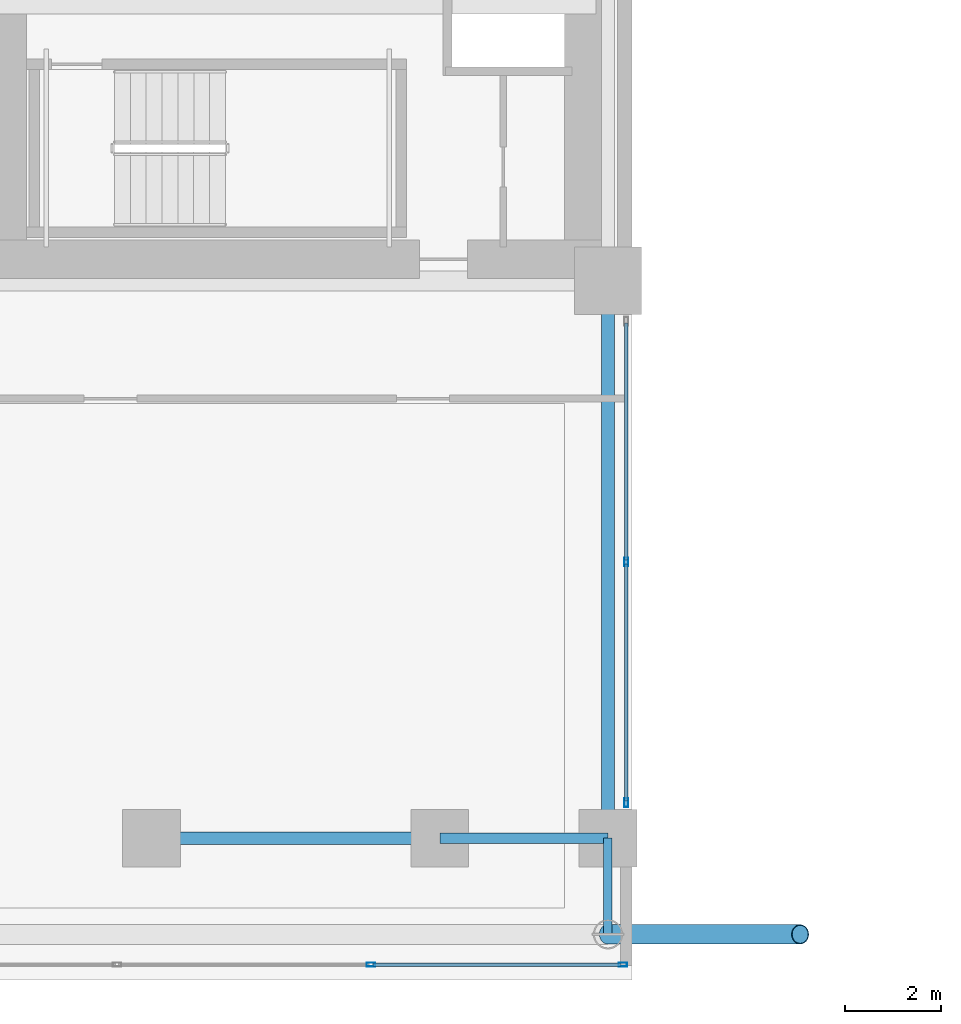
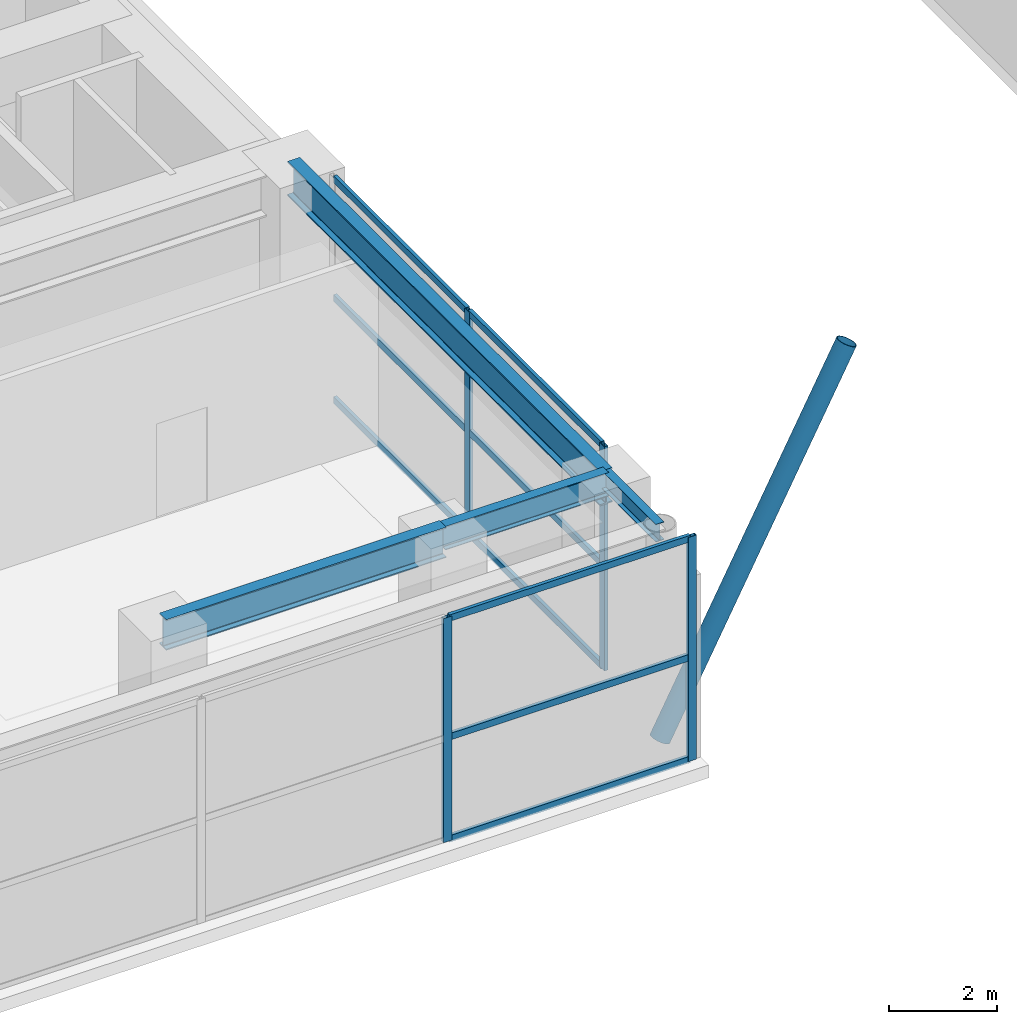
# One storey, part 5 of 29: 14 members, 4 beams, 2 elements without a shape of their own.
"""IFC4 building model written with IfcOpenShell, lengths in metres."""

from ifc_helpers import new_model, si_unit, direction, frame, origin, origin_2d, place, context, subcontext, project, spatial, hollow_rectangle, hollow_circle, i_section, extrude, source, transform, mapped, material, layer, layer_set, material_profile, profile_set, type_object, element, aggregate, save


model = new_model("IFC4")

# Units and contexts
model_context = context("Model", 3, precision=1e-05, world=origin(), true_north=direction((0.0, 1.0)))
body_context = subcontext(model_context, "Body", "Model", "MODEL_VIEW")
ifc_project = project(units=[si_unit("LENGTHUNIT", "METRE"), si_unit("AREAUNIT", "SQUARE_METRE"), si_unit("VOLUMEUNIT", "CUBIC_METRE"), si_unit("PLANEANGLEUNIT", "RADIAN"), si_unit("MASSUNIT", "GRAM", prefix="KILO")], contexts=[model_context])

# Site, building, storey
site_placement = place(None, origin())
site = spatial("IfcSite", under=ifc_project, at=site_placement, CompositionType="ELEMENT")
building_placement = place(site_placement, origin())
building = spatial("IfcBuilding", under=site, at=building_placement, Name="Ocotamira Hotel", CompositionType="ELEMENT")
storey_placement = place(building_placement, frame((0.0, 0.0, 6.0)))
storey = spatial("IfcBuildingStorey", under=building, at=storey_placement, Name="L02", CompositionType="ELEMENT", Elevation=6.0)

# Beams
ifc_material_1 = material(Name="Steel ASTM A992 Grade 50", Category="steel")
ifc_material_profile_1 = material_profile(ifc_material_1, i_section(OverallWidth=0.256103515625, OverallDepth=0.693115234375, WebThickness=0.014404296875, FlangeThickness=0.023681640625, FilletRadius=0.01611328125, at=origin_2d()), Name="W27X114")
ifc_profile_set_1 = profile_set([ifc_material_profile_1], Name="Steel ASTM A992 Grade 50")
beam_type_1 = type_object("IfcBeamType", Name="BM-PRIM-W27X114", PredefinedType="BEAM", material=ifc_profile_set_1)
shared_shape_1 = source(origin(), body_context, "Body", "SweptSolid", [
    extrude(i_section(OverallWidth=0.256103515625, OverallDepth=0.693115234375, WebThickness=0.014404296875, FlangeThickness=0.023681640625, FilletRadius=0.01611328125, at=origin_2d()), origin(), (0.0, 0.0, 1.0), 6.0),
])
beam_1_placement = place(storey_placement, frame((14.0, 2.949951171875, 4.7333984375), z_axis=(1.0, 0.0, 0.0), x_axis=(0.0, 1.0, 0.0)))
element("IfcBeam", 1, at=beam_1_placement, inside=storey, type_object=beam_type_1, Name="L02 Girder Y2.95 X14-20", PredefinedType="BEAM", context=body_context, shape_type="MappedRepresentation", body=[
    mapped(shared_shape_1, transform((0.0, 0.0, 0.0), scale=1.0)),
])
ifc_material_profile_2 = material_profile(ifc_material_1, i_section(OverallWidth=0.2099609375, OverallDepth=0.537109375, WebThickness=0.010986328125, FlangeThickness=0.017333984375, FilletRadius=0.012939453125, at=origin_2d()), Name="W21X68")
ifc_profile_set_2 = profile_set([ifc_material_profile_2], Name="Steel ASTM A992 Grade 50")
beam_type_2 = type_object("IfcBeamType", Name="BM-SEC-W21X68", PredefinedType="JOIST", material=ifc_profile_set_2)
shared_shape_2 = source(origin(), body_context, "Body", "SweptSolid", [
    extrude(i_section(OverallWidth=0.2099609375, OverallDepth=0.537109375, WebThickness=0.010986328125, FlangeThickness=0.017333984375, FilletRadius=0.012939453125, at=origin_2d()), origin(), (0.0, 0.0, 1.0), 3.5),
])
beam_2_placement = place(storey_placement, frame((20.0, 2.949951171875, 4.8115234375), z_axis=(1.0, 0.0, 0.0), x_axis=(0.0, 1.0, 0.0)))
element("IfcBeam", 2, at=beam_2_placement, inside=storey, type_object=beam_type_2, Name="L02 Girder Y2.95 X20-23.5", PredefinedType="JOIST", context=body_context, shape_type="MappedRepresentation", body=[
    mapped(shared_shape_2, transform((0.0, 0.0, 0.0), scale=1.0)),
])
ifc_material_profile_3 = material_profile(ifc_material_1, i_section(OverallWidth=0.177978515625, OverallDepth=0.403076171875, WebThickness=0.007568359375, FlangeThickness=0.010986328125, FilletRadius=0.010009765625, at=origin_2d()), Name="W16X36")
ifc_profile_set_3 = profile_set([ifc_material_profile_3], Name="Steel ASTM A992 Grade 50")
beam_type_3 = type_object("IfcBeamType", Name="BM-SEC-W16X36", PredefinedType="JOIST", material=ifc_profile_set_3)
shared_shape_3 = source(origin(), body_context, "Body", "SweptSolid", [
    extrude(i_section(OverallWidth=0.177978515625, OverallDepth=0.403076171875, WebThickness=0.007568359375, FlangeThickness=0.010986328125, FilletRadius=0.010009765625, at=origin_2d()), origin(), (0.0, 0.0, 1.0), 2.0),
])
beam_3_placement = place(storey_placement, frame((23.5, 0.949951171875, 4.87841796875), z_axis=(0.0, 1.0, 0.0), x_axis=(-1.0, 0.0, 0.0)))
element("IfcBeam", 3, at=beam_3_placement, inside=storey, type_object=beam_type_3, Name="L02 Beam X23.5 Y0.95-2.95", PredefinedType="JOIST", context=body_context, shape_type="MappedRepresentation", body=[
    mapped(shared_shape_3, transform((0.0, 0.0, 0.0), scale=1.0)),
])
ifc_material_profile_4 = material_profile(ifc_material_1, i_section(OverallWidth=0.26611328125, OverallDepth=0.779052734375, WebThickness=0.0166015625, FlangeThickness=0.030029296875, FilletRadius=0.01806640625, at=origin_2d()), Name="W30X148")
ifc_profile_set_4 = profile_set([ifc_material_profile_4], Name="Steel ASTM A992 Grade 50")
beam_type_4 = type_object("IfcBeamType", Name="BM-GIRD-W30X148", PredefinedType="BEAM", material=ifc_profile_set_4)
shared_shape_4 = source(origin(), body_context, "Body", "SweptSolid", [
    extrude(i_section(OverallWidth=0.26611328125, OverallDepth=0.779052734375, WebThickness=0.0166015625, FlangeThickness=0.030029296875, FilletRadius=0.01806640625, at=origin_2d()), origin(), (0.0, 0.0, 1.0), 11.60009765625),
])
beam_4_placement = place(storey_placement, frame((23.5, 2.949951171875, 4.6904296875), z_axis=(0.0, 1.0, 0.0), x_axis=(-1.0, 0.0, 0.0)))
element("IfcBeam", 4, at=beam_4_placement, inside=storey, type_object=beam_type_4, Name="L02 Beam X23.5 Y2.95-14.55", PredefinedType="BEAM", context=body_context, shape_type="MappedRepresentation", body=[
    mapped(shared_shape_4, transform((0.0, 0.0, 0.0), scale=1.0)),
])

# Member
ifc_material_2 = material(Name="Pale-metal coated steel ASTM A500 Grade C", Category="steel")
ifc_material_profile_5 = material_profile(ifc_material_2, hollow_circle(Radius=0.202880859375, WallThickness=0.01611328125, at=origin_2d()), Name="CHS406X16")
ifc_profile_set_5 = profile_set([ifc_material_profile_5], Name="Pale-metal coated steel ASTM A500 Grade C")
member_type_1 = type_object("IfcMemberType", Name="MEM-ARCH-CHS406", PredefinedType="CHORD", material=ifc_profile_set_5)
shared_shape_5 = source(origin(), body_context, "Body", "SweptSolid", [
    extrude(hollow_circle(Radius=0.202880859375, WallThickness=0.01611328125, at=origin_2d()), origin(), (0.0, 0.0, 1.0), 8.58837890625),
])
member_1_placement = place(storey_placement, frame((23.5, 0.949951171875, 0.199951171875), z_axis=(0.465741746442, 0.0, 0.884920688888), x_axis=(0.0, 1.0, 0.0)))
element("IfcMember", 5, at=member_1_placement, inside=storey, type_object=member_type_1, Name="Giant Portal Arch Rib S1", PredefinedType="CHORD", context=body_context, shape_type="MappedRepresentation", body=[
    mapped(shared_shape_5, transform((0.0, 0.0, 0.0), scale=1.0)),
])

# Curtain wall, members
ifc_material_3 = material(Name="Anodised pale-metal aluminium and solar glass", Category="aluminium")
ifc_layer = layer(ifc_material_3, 0.219970703125)
ifc_layer_set = layer_set([ifc_layer], Name="Anodised pale-metal aluminium and solar glass")
curtain_wall_type = type_object("IfcCurtainWallType", Name="CW-SYS1-POD", PredefinedType="NOTDEFINED", material=ifc_layer_set)
curtain_wall_1_placement = place(storey_placement, origin())
curtain_wall_1 = element("IfcCurtainWall", 6, at=curtain_wall_1_placement, inside=storey, type_object=curtain_wall_type, Name="L02 Curtain Wall CW-1 CW-L02-SW", PredefinedType="NOTDEFINED")
ifc_material_4 = material(Name="Anodised pale-metal aluminium 6063-T6", Category="aluminium")
ifc_material_profile_6 = material_profile(ifc_material_4, hollow_rectangle(XDim=0.080078125, YDim=0.179931640625, WallThickness=0.006103515625, at=origin_2d()), Name="HSS180X80X6")
ifc_profile_set_6 = profile_set([ifc_material_profile_6], Name="Anodised pale-metal aluminium 6063-T6")
member_type_2 = type_object("IfcMemberType", Name="CWM-180X75", PredefinedType="MULLION", material=ifc_profile_set_6)
shared_shape_6 = source(origin(), body_context, "Body", "SweptSolid", [
    extrude(hollow_rectangle(XDim=0.080078125, YDim=0.179931640625, WallThickness=0.006103515625, at=origin_2d()), origin(), (0.0, 0.0, 1.0), 5.080078125),
])
member_2_placement = place(storey_placement, frame((18.566650390625, 0.320068359375, 0.0), z_axis=(0.0, 0.0, 1.0), x_axis=(0.0, 1.0, 0.0)))
member_2 = element("IfcMember", 7, at=member_2_placement, type_object=member_type_2, Name="CW-1 mullion 3", PredefinedType="MULLION", context=body_context, shape_type="MappedRepresentation", body=[
    mapped(shared_shape_6, transform((0.0, 0.0, 0.0), scale=1.0)),
])
member_3_placement = place(storey_placement, frame((23.81005859375, 0.320068359375, 0.0), z_axis=(0.0, 0.0, 1.0), x_axis=(0.0, 1.0, 0.0)))
member_3 = element("IfcMember", 8, at=member_3_placement, type_object=member_type_2, Name="CW-1 mullion 4", PredefinedType="MULLION", context=body_context, shape_type="MappedRepresentation", body=[
    mapped(shared_shape_6, transform((0.0, 0.0, 0.0), scale=1.0)),
])

curtain_wall_2_placement = place(storey_placement, origin())
curtain_wall_2 = element("IfcCurtainWall", 9, at=curtain_wall_2_placement, inside=storey, type_object=curtain_wall_type, Name="L02 Curtain Wall CW-1 CW-L02-AW-S", PredefinedType="NOTDEFINED")
member_4_placement = place(storey_placement, frame((23.8798828125, 3.68994140625, 0.0), z_axis=(0.0, 0.0, 1.0), x_axis=(-1.0, 0.0, 0.0)))
member_4 = element("IfcMember", 10, at=member_4_placement, type_object=member_type_2, Name="CW-1 mullion 1", PredefinedType="MULLION", context=body_context, shape_type="MappedRepresentation", body=[
    mapped(shared_shape_6, transform((0.0, 0.0, 0.0), scale=1.0)),
])
member_5_placement = place(storey_placement, frame((23.8798828125, 8.699951171875, 0.0), z_axis=(0.0, 0.0, 1.0), x_axis=(-1.0, 0.0, 0.0)))
member_5 = element("IfcMember", 11, at=member_5_placement, type_object=member_type_2, Name="CW-1 mullion 2", PredefinedType="MULLION", context=body_context, shape_type="MappedRepresentation", body=[
    mapped(shared_shape_6, transform((0.0, 0.0, 0.0), scale=1.0)),
])

# Member
ifc_material_profile_7 = material_profile(ifc_material_4, hollow_rectangle(XDim=0.074951171875, YDim=0.14990234375, WallThickness=0.006103515625, at=origin_2d()), Name="HSS150X75X6")
ifc_profile_set_7 = profile_set([ifc_material_profile_7], Name="Anodised pale-metal aluminium 6063-T6")
member_type_3 = type_object("IfcMemberType", Name="CWT-150X75", PredefinedType="USERDEFINED", material=ifc_profile_set_7)
shared_shape_7 = source(origin(), body_context, "Body", "SweptSolid", [
    extrude(hollow_rectangle(XDim=0.074951171875, YDim=0.14990234375, WallThickness=0.006103515625, at=origin_2d()), origin(), (0.0, 0.0, 1.0), 5.163330078125),
])
member_6_placement = place(storey_placement, frame((18.606689453125, 0.320068359375, 0.03759765625), z_axis=(1.0, 0.0, 0.0), x_axis=(0.0, 1.0, 0.0)))
member_6 = element("IfcMember", 12, at=member_6_placement, type_object=member_type_3, Name="CW-1 transom 3.1", ObjectType="TRANSOM", PredefinedType="USERDEFINED", context=body_context, shape_type="MappedRepresentation", body=[
    mapped(shared_shape_7, transform((0.0, 0.0, 0.0), scale=1.0)),
])

member_7_placement = place(storey_placement, frame((18.606689453125, 0.320068359375, 2.35009765625), z_axis=(1.0, 0.0, 0.0), x_axis=(0.0, 1.0, 0.0)))
member_7 = element("IfcMember", 13, at=member_7_placement, type_object=member_type_3, Name="CW-1 transom 3.2", ObjectType="TRANSOM", PredefinedType="USERDEFINED", context=body_context, shape_type="MappedRepresentation", body=[
    mapped(shared_shape_7, transform((0.0, 0.0, 0.0), scale=1.0)),
])

member_8_placement = place(storey_placement, frame((18.606689453125, 0.320068359375, 5.04248046875), z_axis=(1.0, 0.0, 0.0), x_axis=(0.0, 1.0, 0.0)))
member_8 = element("IfcMember", 14, at=member_8_placement, type_object=member_type_3, Name="CW-1 transom 3.3", ObjectType="TRANSOM", PredefinedType="USERDEFINED", context=body_context, shape_type="MappedRepresentation", body=[
    mapped(shared_shape_7, transform((0.0, 0.0, 0.0), scale=1.0)),
])

aggregate(curtain_wall_1, [member_2, member_3, member_6, member_7, member_8])

shared_shape_8 = source(origin(), body_context, "Body", "SweptSolid", [
    extrude(hollow_rectangle(XDim=0.074951171875, YDim=0.14990234375, WallThickness=0.006103515625, at=origin_2d()), origin(), (0.0, 0.0, 1.0), 4.929931640625),
])
member_9_placement = place(storey_placement, frame((23.8798828125, 3.72998046875, 0.03759765625), z_axis=(0.0, 1.0, 0.0), x_axis=(-1.0, 0.0, 0.0)))
member_9 = element("IfcMember", 15, at=member_9_placement, type_object=member_type_3, Name="CW-1 transom 1.1", ObjectType="TRANSOM", PredefinedType="USERDEFINED", context=body_context, shape_type="MappedRepresentation", body=[
    mapped(shared_shape_8, transform((0.0, 0.0, 0.0), scale=1.0)),
])

member_10_placement = place(storey_placement, frame((23.8798828125, 3.72998046875, 2.35009765625), z_axis=(0.0, 1.0, 0.0), x_axis=(-1.0, 0.0, 0.0)))
member_10 = element("IfcMember", 16, at=member_10_placement, type_object=member_type_3, Name="CW-1 transom 1.2", ObjectType="TRANSOM", PredefinedType="USERDEFINED", context=body_context, shape_type="MappedRepresentation", body=[
    mapped(shared_shape_8, transform((0.0, 0.0, 0.0), scale=1.0)),
])

member_11_placement = place(storey_placement, frame((23.8798828125, 3.72998046875, 5.04248046875), z_axis=(0.0, 1.0, 0.0), x_axis=(-1.0, 0.0, 0.0)))
member_11 = element("IfcMember", 17, at=member_11_placement, type_object=member_type_3, Name="CW-1 transom 1.3", ObjectType="TRANSOM", PredefinedType="USERDEFINED", context=body_context, shape_type="MappedRepresentation", body=[
    mapped(shared_shape_8, transform((0.0, 0.0, 0.0), scale=1.0)),
])

member_12_placement = place(storey_placement, frame((23.8798828125, 8.739990234375, 0.03759765625), z_axis=(0.0, 1.0, 0.0), x_axis=(-1.0, 0.0, 0.0)))
member_12 = element("IfcMember", 18, at=member_12_placement, type_object=member_type_3, Name="CW-1 transom 2.1", ObjectType="TRANSOM", PredefinedType="USERDEFINED", context=body_context, shape_type="MappedRepresentation", body=[
    mapped(shared_shape_8, transform((0.0, 0.0, 0.0), scale=1.0)),
])

member_13_placement = place(storey_placement, frame((23.8798828125, 8.739990234375, 2.35009765625), z_axis=(0.0, 1.0, 0.0), x_axis=(-1.0, 0.0, 0.0)))
member_13 = element("IfcMember", 19, at=member_13_placement, type_object=member_type_3, Name="CW-1 transom 2.2", ObjectType="TRANSOM", PredefinedType="USERDEFINED", context=body_context, shape_type="MappedRepresentation", body=[
    mapped(shared_shape_8, transform((0.0, 0.0, 0.0), scale=1.0)),
])

member_14_placement = place(storey_placement, frame((23.8798828125, 8.739990234375, 5.04248046875), z_axis=(0.0, 1.0, 0.0), x_axis=(-1.0, 0.0, 0.0)))
member_14 = element("IfcMember", 20, at=member_14_placement, type_object=member_type_3, Name="CW-1 transom 2.3", ObjectType="TRANSOM", PredefinedType="USERDEFINED", context=body_context, shape_type="MappedRepresentation", body=[
    mapped(shared_shape_8, transform((0.0, 0.0, 0.0), scale=1.0)),
])

aggregate(curtain_wall_2, [member_4, member_5, member_9, member_10, member_11, member_12, member_13, member_14])

save(model, "model.ifc")
